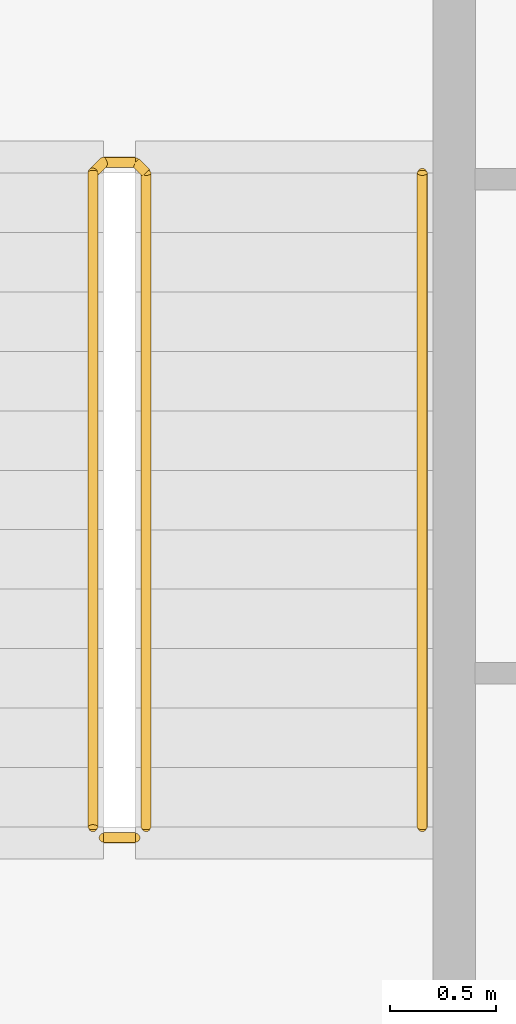
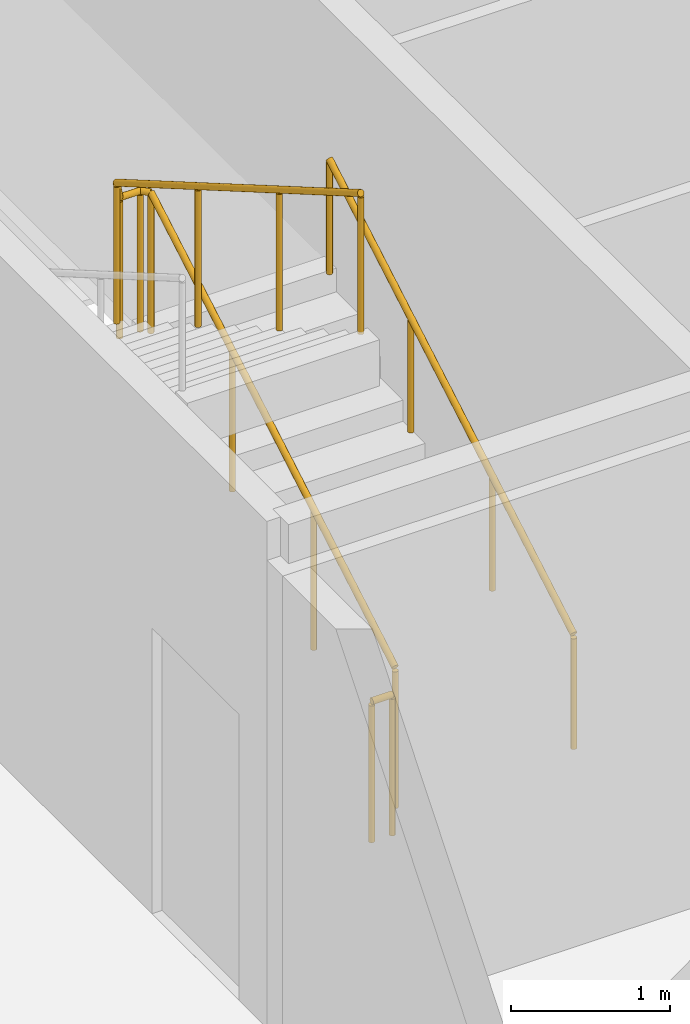
# One storey, part 20 of 21: 3 railings.
"""IFC4 building model written with IfcOpenShell, lengths in metres."""

from ifc_helpers import new_model, si_unit, direction, frame, origin, origin_2d, place, context, subcontext, project, spatial, circle, extrude, material, type_object, element, save


model = new_model("IFC4")

# Units and contexts
model_context = context("Model", 3, precision=1e-05, world=origin(), true_north=direction((0.0, 1.0)))
body_context = subcontext(model_context, "Body", "Model", "MODEL_VIEW")
ifc_project = project(units=[si_unit("LENGTHUNIT", "METRE"), si_unit("AREAUNIT", "SQUARE_METRE"), si_unit("VOLUMEUNIT", "CUBIC_METRE"), si_unit("PLANEANGLEUNIT", "RADIAN"), si_unit("MASSUNIT", "GRAM", prefix="KILO")], contexts=[model_context])

# Site, building, storey
site_placement = place(None, origin())
site = spatial("IfcSite", under=ifc_project, at=site_placement, CompositionType="ELEMENT")
building_placement = place(site_placement, origin())
building = spatial("IfcBuilding", under=site, at=building_placement, Name="Kheshtan School and Residences Tower", CompositionType="ELEMENT")
storey_placement = place(building_placement, frame((0.0, 0.0, 298.10009765625)))
storey = spatial("IfcBuildingStorey", under=building, at=storey_placement, Name="L70", CompositionType="ELEMENT", Elevation=298.10009765625)

# Railings
ifc_material_1 = material(Name="Stainless steel balustrade", Category="steel")
railing_type_1 = type_object("IfcRailingType", Name="Stair guard 1100", PredefinedType="GUARDRAIL", material=ifc_material_1)
railing_1_placement = place(storey_placement, frame((35.0, 80.89990234375, 0.162353515625)))
element("IfcRailing", 1, at=railing_1_placement, inside=storey, type_object=railing_type_1, Name="L70 ST3 stair guard 1", PredefinedType="GUARDRAIL", context=body_context, shape_type="SweptSolid", body=[
    extrude(circle(Radius=0.02392578125, at=origin_2d()), frame((0.0, 0.0, 1.076171875), z_axis=(0.0, 0.864890721111, 0.501960198159), x_axis=(-1.0, 0.0, 0.0)), (0.0, 0.0, 1.0), 3.561279296875),
    extrude(circle(Radius=0.02392578125, at=origin_2d()), frame((0.0, 3.080078125, 2.86376953125), z_axis=(-0.707106781187, 0.707106781187, 0.0), x_axis=(-0.707106781187, -0.707106781187, 0.0)), (0.0, 0.0, 1.0), 0.07080078125),
    extrude(circle(Radius=0.02392578125, at=origin_2d()), frame((-0.050048828125, 3.130126953125, 2.86376953125), z_axis=(-1.0, 0.0, 0.0), x_axis=(0.0, -1.0, 0.0)), (0.0, 0.0, 1.0), 0.14990234375),
    extrude(circle(Radius=0.02392578125, at=origin_2d()), frame((-0.199951171875, 3.130126953125, 2.86376953125), z_axis=(-0.282583949758, -0.282583949758, 0.916674763849), x_axis=(0.707106781187, -0.707106781187, 0.0)), (0.0, 0.0, 1.0), 0.177001953125),
    extrude(circle(Radius=0.02392578125, at=origin_2d()), frame((-0.25, 3.080078125, 3.02587890625), z_axis=(0.0, -0.864890721111, 0.501960198159), x_axis=(1.0, 0.0, 0.0)), (0.0, 0.0, 1.0), 3.561279296875),
    extrude(circle(Radius=0.02099609375, at=origin_2d()), origin(), (0.0, 0.0, 1.0), 1.052001953125),
    extrude(circle(Radius=0.02099609375, at=origin_2d()), frame((0.0, 1.026611328125, 0.595947265625)), (0.0, 0.0, 1.0), 1.052001953125),
    extrude(circle(Radius=0.02099609375, at=origin_2d()), frame((0.0, 2.053466796875, 1.191650390625)), (0.0, 0.0, 1.0), 1.052001953125),
    extrude(circle(Radius=0.02099609375, at=origin_2d()), frame((0.0, 3.080078125, 1.78759765625)), (0.0, 0.0, 1.0), 1.052001953125),
    extrude(circle(Radius=0.02099609375, at=origin_2d()), frame((-0.050048828125, 3.130126953125, 1.78759765625)), (0.0, 0.0, 1.0), 1.052001953125),
    extrude(circle(Radius=0.02099609375, at=origin_2d()), frame((-0.199951171875, 3.130126953125, 1.78759765625)), (0.0, 0.0, 1.0), 1.052001953125),
    extrude(circle(Radius=0.02099609375, at=origin_2d()), frame((-0.25, 3.080078125, 1.949951171875)), (0.0, 0.0, 1.0), 1.052001953125),
    extrude(circle(Radius=0.02099609375, at=origin_2d()), frame((-0.25, 2.053466796875, 2.5458984375)), (0.0, 0.0, 1.0), 1.052001953125),
    extrude(circle(Radius=0.02099609375, at=origin_2d()), frame((-0.25, 1.026611328125, 3.1416015625)), (0.0, 0.0, 1.0), 1.052001953125),
    extrude(circle(Radius=0.02099609375, at=origin_2d()), frame((-0.25, 0.0, 3.737548828125)), (0.0, 0.0, 1.0), 1.052001953125),
])
railing_2_placement = place(storey_placement, frame((34.949951171875, 80.85009765625, 0.0)))
element("IfcRailing", 2, at=railing_2_placement, inside=storey, type_object=railing_type_1, Name="L70 ST3 stair guard 2", PredefinedType="GUARDRAIL", context=body_context, shape_type="SweptSolid", body=[
    extrude(circle(Radius=0.02392578125, at=origin_2d()), frame((0.0, 0.0, 1.076171875), z_axis=(-1.0, 0.0, 0.0), x_axis=(0.0, -1.0, 0.0)), (0.0, 0.0, 1.0), 0.14990234375),
    extrude(circle(Radius=0.02099609375, at=origin_2d()), origin(), (0.0, 0.0, 1.0), 1.052001953125),
    extrude(circle(Radius=0.02099609375, at=origin_2d()), frame((-0.14990234375, 0.0, 0.0)), (0.0, 0.0, 1.0), 1.052001953125),
])
ifc_material_2 = material(Name="Stainless steel handrail", Category="steel")
railing_type_2 = type_object("IfcRailingType", Name="Stair handrail 900", PredefinedType="HANDRAIL", material=ifc_material_2)
railing_3_placement = place(storey_placement, frame((36.300048828125, 80.89990234375, 0.162353515625)))
element("IfcRailing", 3, at=railing_3_placement, inside=storey, type_object=railing_type_2, Name="L70 ST3 stair handrail 1", PredefinedType="HANDRAIL", context=body_context, shape_type="SweptSolid", body=[
    extrude(circle(Radius=0.02392578125, at=origin_2d()), frame((0.0, 0.0, 0.8759765625), z_axis=(0.0, 0.864890721111, 0.501960198159), x_axis=(-1.0, 0.0, 0.0)), (0.0, 0.0, 1.0), 3.561279296875),
    extrude(circle(Radius=0.02099609375, at=origin_2d()), origin(), (0.0, 0.0, 1.0), 0.851806640625),
    extrude(circle(Radius=0.02099609375, at=origin_2d()), frame((0.0, 1.026611328125, 0.595947265625)), (0.0, 0.0, 1.0), 0.851806640625),
    extrude(circle(Radius=0.02099609375, at=origin_2d()), frame((0.0, 2.053466796875, 1.191650390625)), (0.0, 0.0, 1.0), 0.851806640625),
    extrude(circle(Radius=0.02099609375, at=origin_2d()), frame((0.0, 3.080078125, 1.78759765625)), (0.0, 0.0, 1.0), 0.851806640625),
])

save(model, "model.ifc")
